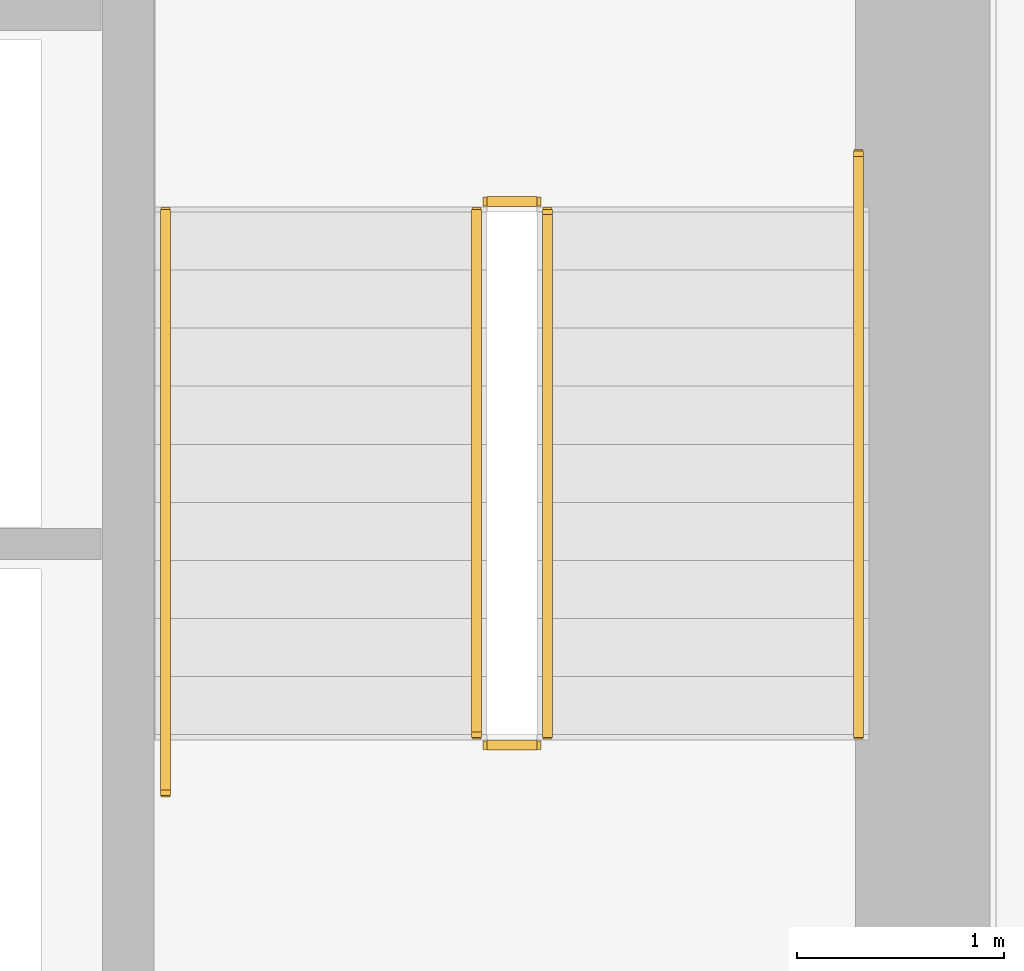
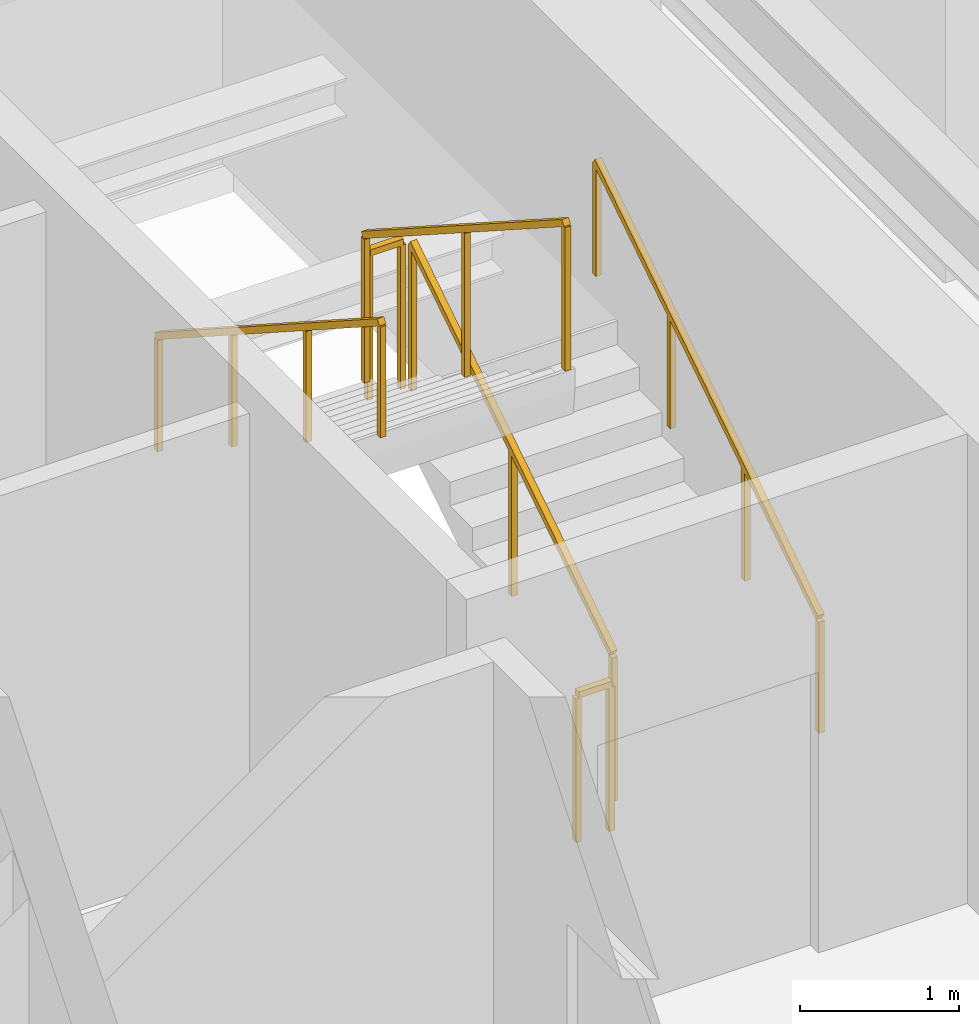
# One storey, part 26 of 27: 6 railings.
"""IFC4 building model written with IfcOpenShell, lengths in metres."""

from ifc_helpers import new_model, si_unit, direction, frame, origin, origin_2d, place, context, subcontext, project, spatial, rectangle, extrude, material, type_object, element, save


model = new_model("IFC4")

# Units and contexts
model_context = context("Model", 3, precision=1e-05, world=origin(), true_north=direction((0.0, 1.0)))
body_context = subcontext(model_context, "Body", "Model", "MODEL_VIEW")
ifc_project = project(units=[si_unit("LENGTHUNIT", "METRE"), si_unit("AREAUNIT", "SQUARE_METRE"), si_unit("VOLUMEUNIT", "CUBIC_METRE"), si_unit("PLANEANGLEUNIT", "RADIAN"), si_unit("MASSUNIT", "GRAM", prefix="KILO")], contexts=[model_context])

# Site, building, storey
site_placement = place(None, origin())
site = spatial("IfcSite", under=ifc_project, at=site_placement, CompositionType="ELEMENT")
building_placement = place(site_placement, origin())
building = spatial("IfcBuilding", under=site, at=building_placement, Name="Sumidabori Civic Tower", CompositionType="ELEMENT")
storey_placement = place(building_placement, frame((0.0, 0.0, 142.39990234375)))
storey = spatial("IfcBuildingStorey", under=building, at=storey_placement, Name="L36", CompositionType="ELEMENT", Elevation=142.39990234375)

# Railings
ifc_material_1 = material(Name="Stainless Steel Hairline Finish", Category="steel")
railing_type_1 = type_object("IfcRailingType", Name="RL-HANDRAIL", PredefinedType="HANDRAIL", material=ifc_material_1)
railing_1_placement = place(storey_placement, frame((15.2900390625, 16.0, 0.18017578125)))
element("IfcRailing", 1, at=railing_1_placement, inside=storey, type_object=railing_type_1, Name="L36 ST-2 stair handrail 1", PredefinedType="HANDRAIL", context=body_context, shape_type="SweptSolid", body=[
    extrude(rectangle(XDim=0.048095703125, YDim=0.048095703125, at=origin_2d()), frame((0.0, 0.0, 0.8759765625), z_axis=(0.0, 0.840675598268, 0.541539046124), x_axis=(-1.0, 0.0, 0.0)), (0.0, 0.0, 1.0), 3.330810546875),
    extrude(rectangle(XDim=0.0419921875, YDim=0.0419921875, at=origin_2d()), origin(), (0.0, 0.0, 1.0), 0.851806640625),
    extrude(rectangle(XDim=0.0419921875, YDim=0.0419921875, at=origin_2d()), frame((0.0, 0.933349609375, 0.601318359375)), (0.0, 0.0, 1.0), 0.851806640625),
    extrude(rectangle(XDim=0.0419921875, YDim=0.0419921875, at=origin_2d()), frame((0.0, 1.86669921875, 1.202392578125)), (0.0, 0.0, 1.0), 0.851806640625),
    extrude(rectangle(XDim=0.0419921875, YDim=0.0419921875, at=origin_2d()), frame((0.0, 2.800048828125, 1.8037109375)), (0.0, 0.0, 1.0), 0.851806640625),
])
railing_2_placement = place(storey_placement, frame((11.949951171875, 18.52001953125, 1.97998046875)))
element("IfcRailing", 2, at=railing_2_placement, inside=storey, type_object=railing_type_1, Name="L36 ST-2 stair handrail 2", PredefinedType="HANDRAIL", context=body_context, shape_type="SweptSolid", body=[
    extrude(rectangle(XDim=0.048095703125, YDim=0.048095703125, at=origin_2d()), frame((0.0, 0.0, 0.8759765625), z_axis=(0.0, -0.84064222762, 0.54159084662), x_axis=(1.0, 0.0, 0.0)), (0.0, 0.0, 1.0), 3.330810546875),
    extrude(rectangle(XDim=0.0419921875, YDim=0.0419921875, at=origin_2d()), origin(), (0.0, 0.0, 1.0), 0.851806640625),
    extrude(rectangle(XDim=0.0419921875, YDim=0.0419921875, at=origin_2d()), frame((0.0, -0.933349609375, 0.601318359375)), (0.0, 0.0, 1.0), 0.851806640625),
    extrude(rectangle(XDim=0.0419921875, YDim=0.0419921875, at=origin_2d()), frame((0.0, -1.86669921875, 1.20263671875)), (0.0, 0.0, 1.0), 0.851806640625),
    extrude(rectangle(XDim=0.0419921875, YDim=0.0419921875, at=origin_2d()), frame((0.0, -2.800048828125, 1.803955078125)), (0.0, 0.0, 1.0), 0.851806640625),
])
ifc_material_2 = material(Name="Steel SN490", Category="steel")
railing_type_2 = type_object("IfcRailingType", Name="RL-STAIR-GUARD", PredefinedType="GUARDRAIL", material=ifc_material_2)
railing_3_placement = place(storey_placement, frame((13.7900390625, 16.0, 0.18017578125)))
element("IfcRailing", 3, at=railing_3_placement, inside=storey, type_object=railing_type_2, Name="L36 ST-2 stair guard 1", PredefinedType="GUARDRAIL", context=body_context, shape_type="SweptSolid", body=[
    extrude(rectangle(XDim=0.048095703125, YDim=0.048095703125, at=origin_2d()), frame((0.0, 0.0, 1.1259765625), z_axis=(0.0, 0.841199657755, 0.540724639528), x_axis=(-1.0, 0.0, 0.0)), (0.0, 0.0, 1.0), 2.995849609375),
    extrude(rectangle(XDim=0.0419921875, YDim=0.0419921875, at=origin_2d()), origin(), (0.0, 0.0, 1.0), 1.101806640625),
    extrude(rectangle(XDim=0.0419921875, YDim=0.0419921875, at=origin_2d()), frame((0.0, 1.260009765625, 0.81005859375)), (0.0, 0.0, 1.0), 1.101806640625),
    extrude(rectangle(XDim=0.0419921875, YDim=0.0419921875, at=origin_2d()), frame((0.0, 2.52001953125, 1.619873046875)), (0.0, 0.0, 1.0), 1.101806640625),
])
railing_4_placement = place(storey_placement, frame((13.739990234375, 18.570068359375, 1.800048828125)))
element("IfcRailing", 4, at=railing_4_placement, inside=storey, type_object=railing_type_2, Name="L36 ST-2 stair guard 2", PredefinedType="GUARDRAIL", context=body_context, shape_type="SweptSolid", body=[
    extrude(rectangle(XDim=0.048095703125, YDim=0.048095703125, at=origin_2d()), frame((0.0, 0.0, 1.1259765625), z_axis=(-1.0, 0.0, 0.0), x_axis=(0.0, -1.0, 0.0)), (0.0, 0.0, 1.0), 0.239990234375),
    extrude(rectangle(XDim=0.0419921875, YDim=0.0419921875, at=origin_2d()), origin(), (0.0, 0.0, 1.0), 1.101806640625),
    extrude(rectangle(XDim=0.0419921875, YDim=0.0419921875, at=origin_2d()), frame((-0.239990234375, 0.0, 0.0)), (0.0, 0.0, 1.0), 1.101806640625),
])
railing_5_placement = place(storey_placement, frame((13.449951171875, 18.52001953125, 1.97998046875)))
element("IfcRailing", 5, at=railing_5_placement, inside=storey, type_object=railing_type_2, Name="L36 ST-2 stair guard 3", PredefinedType="GUARDRAIL", context=body_context, shape_type="SweptSolid", body=[
    extrude(rectangle(XDim=0.048095703125, YDim=0.048095703125, at=origin_2d()), frame((0.0, 0.0, 1.1259765625), z_axis=(0.0, -0.841162588446, 0.540782303519), x_axis=(1.0, 0.0, 0.0)), (0.0, 0.0, 1.0), 2.995849609375),
    extrude(rectangle(XDim=0.0419921875, YDim=0.0419921875, at=origin_2d()), origin(), (0.0, 0.0, 1.0), 1.101806640625),
    extrude(rectangle(XDim=0.0419921875, YDim=0.0419921875, at=origin_2d()), frame((0.0, -1.260009765625, 0.81005859375)), (0.0, 0.0, 1.0), 1.101806640625),
    extrude(rectangle(XDim=0.0419921875, YDim=0.0419921875, at=origin_2d()), frame((0.0, -2.52001953125, 1.6201171875)), (0.0, 0.0, 1.0), 1.101806640625),
])
railing_6_placement = place(storey_placement, frame((13.739990234375, 15.949951171875, 0.0)))
element("IfcRailing", 6, at=railing_6_placement, inside=storey, type_object=railing_type_2, Name="L36 ST-2 stair guard 4", PredefinedType="GUARDRAIL", context=body_context, shape_type="SweptSolid", body=[
    extrude(rectangle(XDim=0.048095703125, YDim=0.048095703125, at=origin_2d()), frame((0.0, 0.0, 1.1259765625), z_axis=(-1.0, 0.0, 0.0), x_axis=(0.0, -1.0, 0.0)), (0.0, 0.0, 1.0), 0.239990234375),
    extrude(rectangle(XDim=0.0419921875, YDim=0.0419921875, at=origin_2d()), origin(), (0.0, 0.0, 1.0), 1.101806640625),
    extrude(rectangle(XDim=0.0419921875, YDim=0.0419921875, at=origin_2d()), frame((-0.239990234375, 0.0, 0.0)), (0.0, 0.0, 1.0), 1.101806640625),
])

save(model, "model.ifc")
